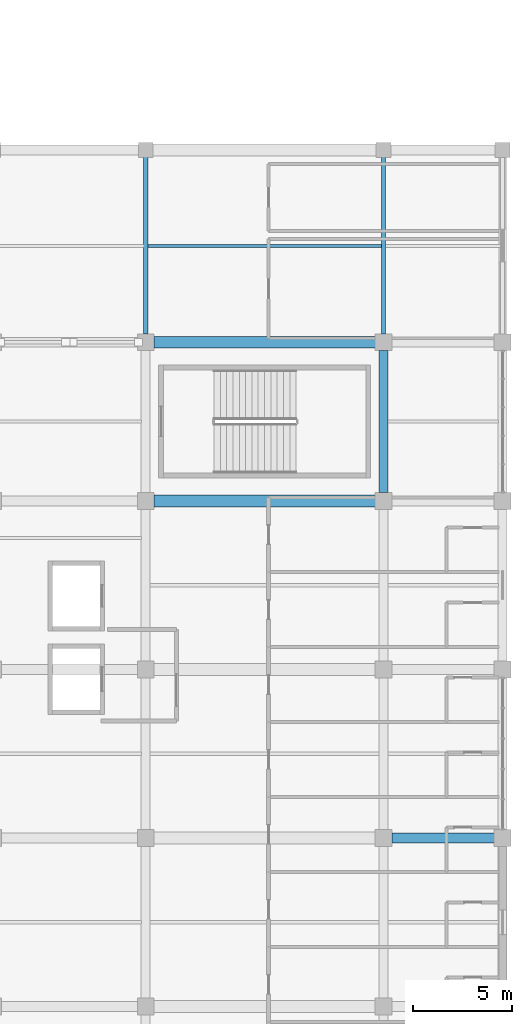
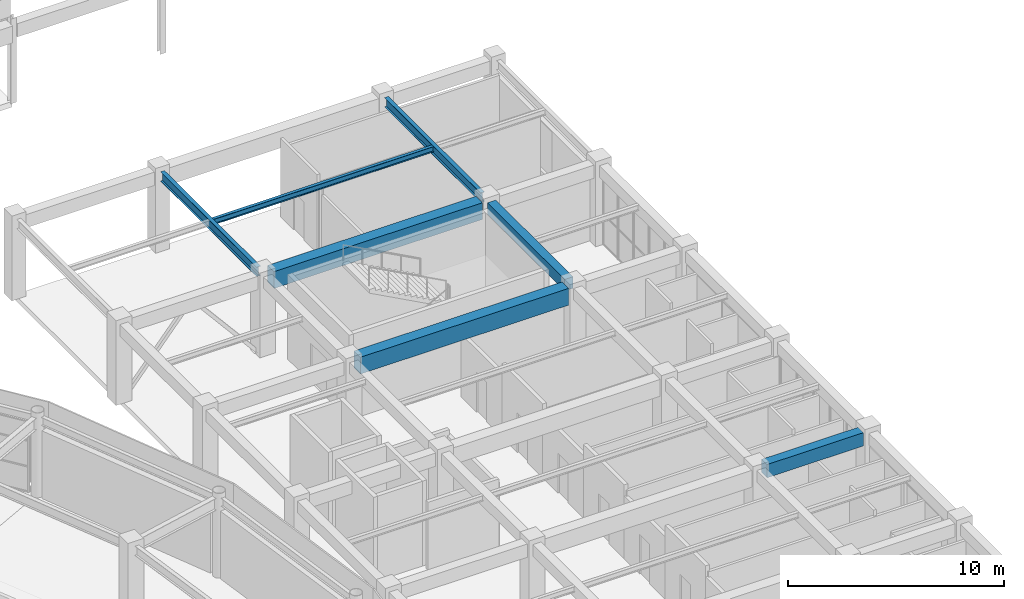
# One storey, part 70 of 122: 7 beams.
"""IFC4 building model written with IfcOpenShell, lengths in metres."""

from ifc_helpers import new_model, si_unit, direction, frame, origin, origin_2d, place, context, subcontext, project, spatial, rectangle, i_section, extrude, material, material_profile, profile_set, type_object, element, save


model = new_model("IFC4")

# Units and contexts
model_context = context("Model", 3, precision=1e-05, world=origin(), true_north=direction((0.0, 1.0)))
body_context = subcontext(model_context, "Body", "Model", "MODEL_VIEW")
ifc_project = project(units=[si_unit("LENGTHUNIT", "METRE"), si_unit("AREAUNIT", "SQUARE_METRE"), si_unit("VOLUMEUNIT", "CUBIC_METRE"), si_unit("PLANEANGLEUNIT", "RADIAN"), si_unit("MASSUNIT", "GRAM", prefix="KILO")], contexts=[model_context])

# Site, building, storey
site_placement = place(None, origin())
site = spatial("IfcSite", under=ifc_project, at=site_placement, CompositionType="ELEMENT")
building_placement = place(site_placement, origin())
building = spatial("IfcBuilding", under=site, at=building_placement, Name="Cuetzalor Civic Arena", CompositionType="ELEMENT")
storey_placement = place(building_placement, frame((0.0, 0.0, 16.199951171875)))
storey = spatial("IfcBuildingStorey", under=building, at=storey_placement, Name="L03", CompositionType="ELEMENT", Elevation=16.199951171875)

# Beams
ifc_material_1 = material(Name="Concrete C40/50", Category="concrete")
ifc_material_profile_1 = material_profile(ifc_material_1, rectangle(XDim=0.5, YDim=0.75, at=origin_2d()), Name="RC 500x750")
ifc_profile_set_1 = profile_set([ifc_material_profile_1], Name="Concrete C40/50")
beam_type_1 = type_object("IfcBeamType", Name="ConcreteFrameBeam_500x750", PredefinedType="BEAM", material=ifc_profile_set_1)
beam_1_placement = place(storey_placement, frame((76.4150390625, 0.0, 4.14501953125), z_axis=(1.0, 0.0, 0.0), x_axis=(0.0, 1.0, 0.0)))
element("IfcBeam", 1, at=beam_1_placement, inside=storey, type_object=beam_type_1, Name="Frame Girder V4E-L03-X0976", PredefinedType="BEAM", context=body_context, shape_type="SweptSolid", body=[
    extrude(rectangle(XDim=0.5, YDim=0.75, at=origin_2d()), origin(), (0.0, 0.0, 1.0), 5.169921875),
])
ifc_material_2 = material(Name="Concrete C40/50", Category="concrete")
ifc_material_profile_2 = material_profile(ifc_material_2, rectangle(XDim=0.60009765625, YDim=0.949951171875, at=origin_2d()), Name="RC 600x950")
ifc_profile_set_2 = profile_set([ifc_material_profile_2], Name="Concrete C40/50")
beam_type_2 = type_object("IfcBeamType", Name="ConcreteFrameBeam_600x950", PredefinedType="BEAM", material=ifc_profile_set_2)
for number, where, z_axis, x_axis, name in (
    (2, (64.4150390625, 17.0, 4.045166015625), (1.0, 0.0, 0.0), (0.0, 1.0, 0.0), "Frame Girder V4E-L03-X0981"),
    (3, (64.4150390625, 25.0, 4.045166015625), (1.0, 0.0, 0.0), (0.0, 1.0, 0.0), "Frame Girder V4E-L03-X0984"),
):
    element("IfcBeam", number, at=place(storey_placement, frame(where, z_axis=z_axis, x_axis=x_axis)), inside=storey, type_object=beam_type_2, Name=name, PredefinedType="BEAM", context=body_context, shape_type="SweptSolid", body=[
        extrude(rectangle(XDim=0.60009765625, YDim=0.949951171875, at=origin_2d()), origin(), (0.0, 0.0, 1.0), 11.169921875),
    ])
ifc_material_3 = material(Name="Concrete C40/50", Category="concrete")
ifc_material_profile_3 = material_profile(ifc_material_3, rectangle(XDim=0.449951171875, YDim=0.64990234375, at=origin_2d()), Name="RC 450x650")
ifc_profile_set_3 = profile_set([ifc_material_profile_3], Name="Concrete C40/50")
beam_type_3 = type_object("IfcBeamType", Name="ConcreteTieBeam_450x650", PredefinedType="BEAM", material=ifc_profile_set_3)
beam_2_placement = place(storey_placement, frame((76.0, 17.4150390625, 4.195068359375), z_axis=(0.0, 1.0, 0.0), x_axis=(-1.0, 0.0, 0.0)))
element("IfcBeam", 4, at=beam_2_placement, inside=storey, type_object=beam_type_3, Name="Frame Girder V4E-L03-Y1017", PredefinedType="BEAM", context=body_context, shape_type="SweptSolid", body=[
    extrude(rectangle(XDim=0.449951171875, YDim=0.64990234375, at=origin_2d()), origin(), (0.0, 0.0, 1.0), 7.169921875),
])
ifc_material_4 = material(Name="Steel S355", Category="steel")
ifc_material_profile_4 = material_profile(ifc_material_4, i_section(OverallWidth=0.166015625, OverallDepth=0.31298828125, WebThickness=0.006591796875, FlangeThickness=0.01123046875, at=origin_2d()), Name="W310x45")
ifc_profile_set_4 = profile_set([ifc_material_profile_4], Name="Steel S355")
beam_type_4 = type_object("IfcBeamType", Name="SecondaryRoofJoist_W310", PredefinedType="JOIST", material=ifc_profile_set_4)
beam_3_placement = place(storey_placement, frame((64.096435546875, 29.85009765625, 4.363525390625), z_axis=(1.0, 0.0, 0.0), x_axis=(0.0, 1.0, 0.0)))
element("IfcBeam", 5, at=beam_3_placement, inside=storey, type_object=beam_type_4, Name="Secondary Floor Joist V4E-L03-0308", PredefinedType="JOIST", context=body_context, shape_type="SweptSolid", body=[
    extrude(i_section(OverallWidth=0.166015625, OverallDepth=0.31298828125, WebThickness=0.006591796875, FlangeThickness=0.01123046875, at=origin_2d()), origin(), (0.0, 0.0, 1.0), 11.80712890625),
])
ifc_material_5 = material(Name="Steel S355", Category="steel")
ifc_material_profile_5 = material_profile(ifc_material_5, i_section(OverallWidth=0.208984375, OverallDepth=0.532958984375, WebThickness=0.01025390625, FlangeThickness=0.015625, at=origin_2d()), Name="W530x92")
ifc_profile_set_5 = profile_set([ifc_material_profile_5], Name="Steel S355")
beam_type_5 = type_object("IfcBeamType", Name="SteelCollarGirder_W530", PredefinedType="BEAM", material=ifc_profile_set_5)
for number, where, z_axis, x_axis, name in (
    (6, (64.0, 25.4150390625, 4.253662109375), (0.0, 1.0, 0.0), (-1.0, 0.0, 0.0), "Frame Girder V4E-L03-Y1008"),
    (7, (76.0, 25.4150390625, 4.253662109375), (0.0, 1.0, 0.0), (-1.0, 0.0, 0.0), "Frame Girder V4E-L03-Y1018"),
):
    element("IfcBeam", number, at=place(storey_placement, frame(where, z_axis=z_axis, x_axis=x_axis)), inside=storey, type_object=beam_type_5, Name=name, PredefinedType="BEAM", context=body_context, shape_type="SweptSolid", body=[
        extrude(i_section(OverallWidth=0.208984375, OverallDepth=0.532958984375, WebThickness=0.01025390625, FlangeThickness=0.015625, at=origin_2d()), origin(), (0.0, 0.0, 1.0), 8.919921875),
    ])

save(model, "model.ifc")
